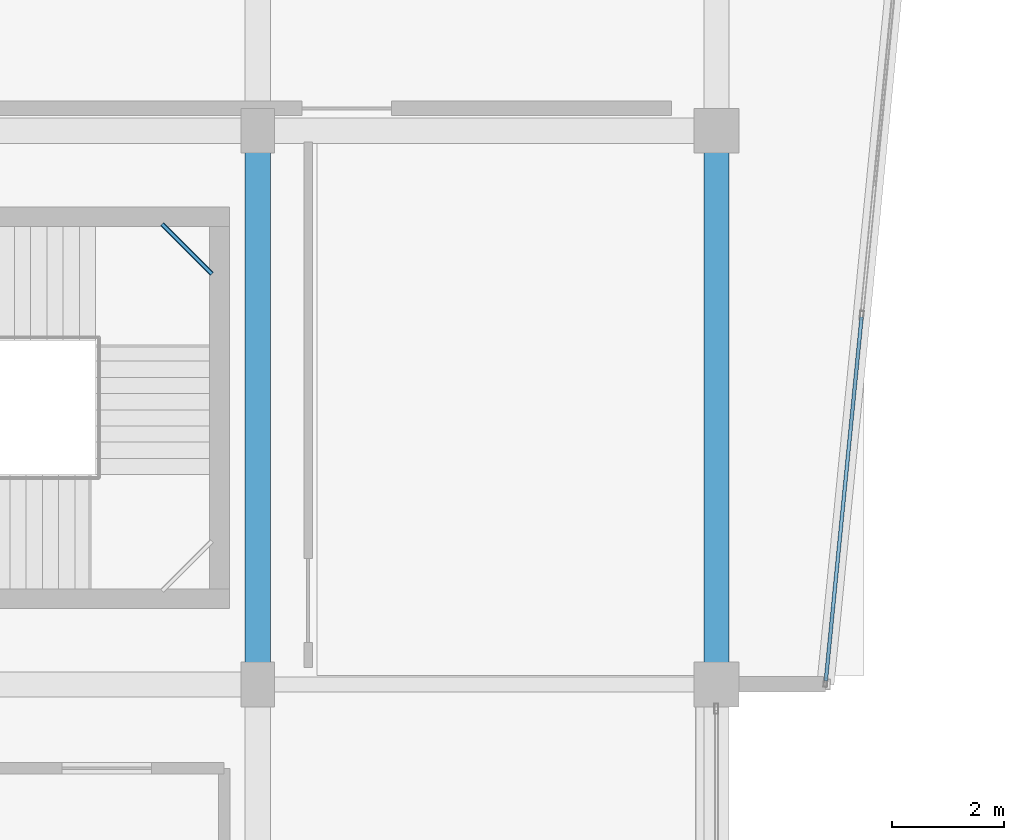
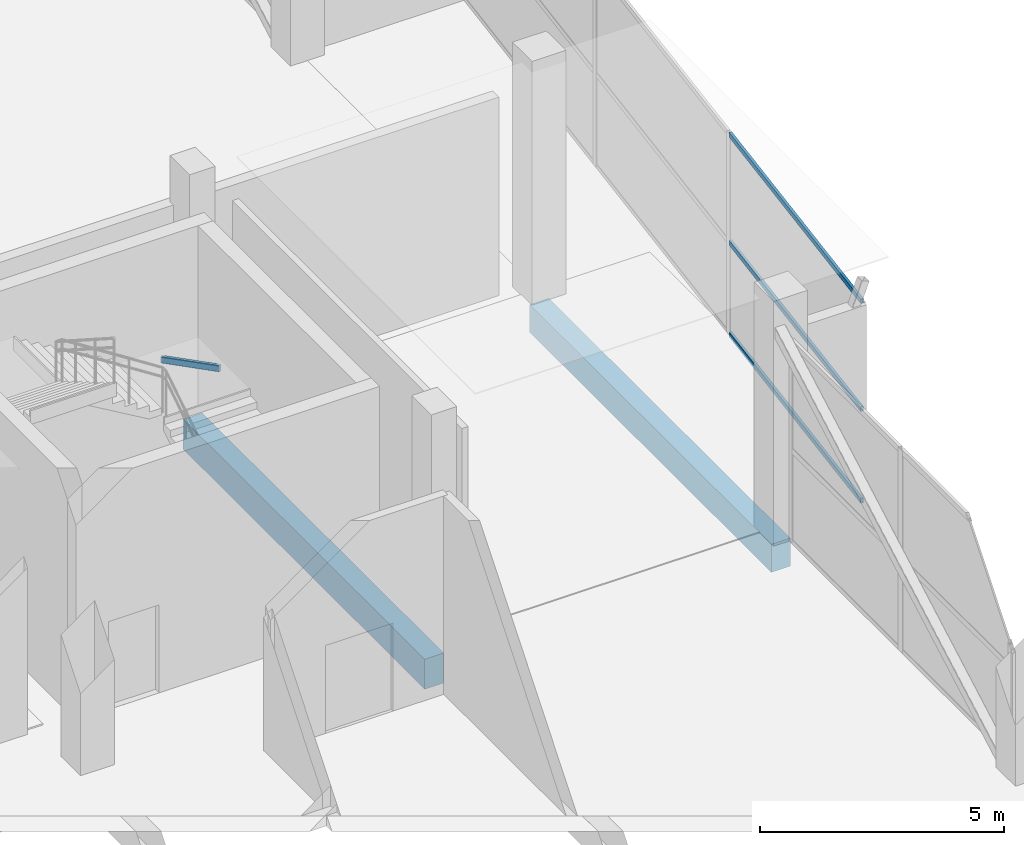
# One storey, part 20 of 58: 3 beams, 3 members, 1 element without a shape of its own.
"""IFC4 building model written with IfcOpenShell, lengths in metres."""

from ifc_helpers import new_model, si_unit, direction, frame, origin, origin_2d, place, context, subcontext, project, spatial, rectangle, hollow_rectangle, extrude, material, layer, layer_set, material_profile, profile_set, type_object, element, aggregate, save


model = new_model("IFC4")

# Units and contexts
model_context = context("Model", 3, precision=1e-05, world=origin(), true_north=direction((0.0, 1.0)))
body_context = subcontext(model_context, "Body", "Model", "MODEL_VIEW")
ifc_project = project(units=[si_unit("LENGTHUNIT", "METRE"), si_unit("AREAUNIT", "SQUARE_METRE"), si_unit("VOLUMEUNIT", "CUBIC_METRE"), si_unit("PLANEANGLEUNIT", "RADIAN"), si_unit("MASSUNIT", "GRAM", prefix="KILO")], contexts=[model_context])

# Site, building, storey
site_placement = place(None, origin())
site = spatial("IfcSite", under=ifc_project, at=site_placement, CompositionType="ELEMENT")
building_placement = place(site_placement, origin())
building = spatial("IfcBuilding", under=site, at=building_placement, Name="Sillaruma Civic Art Gallery", CompositionType="ELEMENT")
storey_placement = place(building_placement, frame((0.0, 0.0, 22.43994140625)))
storey = spatial("IfcBuildingStorey", under=building, at=storey_placement, Name="L04", CompositionType="ELEMENT", Elevation=22.43994140625)

# Beams
ifc_material_1 = material(Name="Concrete H40 (40 MPa)", Category="concrete")
ifc_material_profile_1 = material_profile(ifc_material_1, rectangle(XDim=0.449951171875, YDim=0.75, at=origin_2d()), Name="RCB450x750")
ifc_profile_set_1 = profile_set([ifc_material_profile_1], Name="Concrete H40 (40 MPa)")
beam_type_1 = type_object("IfcBeamType", Name="BM-BEAM-RCB450x750", PredefinedType="BEAM", material=ifc_profile_set_1)
beam_1_placement = place(storey_placement, frame((106.199951171875, 49.5, -0.635009765625), z_axis=(0.0, 1.0, 0.0), x_axis=(-1.0, 0.0, 0.0)))
element("IfcBeam", 1, at=beam_1_placement, inside=storey, type_object=beam_type_1, Name="Beam BM-03 (L03:M:6-7)", PredefinedType="BEAM", context=body_context, shape_type="SweptSolid", body=[
    extrude(rectangle(XDim=0.449951171875, YDim=0.75, at=origin_2d()), origin(), (0.0, 0.0, 1.0), 9.89990234375),
])
ifc_material_2 = material(Name="Structural Steel ASTM A500 Gr.C", Category="steel")
ifc_material_profile_2 = material_profile(ifc_material_2, hollow_rectangle(XDim=0.080078125, YDim=0.159912109375, WallThickness=0.008056640625, InnerFilletRadius=0.008056640625, OuterFilletRadius=0.01611328125, at=origin_2d()), Name="HSS160x80x8")
ifc_profile_set_2 = profile_set([ifc_material_profile_2], Name="Structural Steel ASTM A500 Gr.C")
beam_type_2 = type_object("IfcBeamType", Name="BM-LND-HSS160", PredefinedType="BEAM", material=ifc_profile_set_2)
beam_2_placement = place(storey_placement, frame((104.489990234375, 57.72998046875, 2.780029296875), z_axis=(0.707106781187, -0.707106781187, 0.0), x_axis=(0.707106781187, 0.707106781187, 0.0)))
element("IfcBeam", 2, at=beam_2_placement, inside=storey, type_object=beam_type_2, Name="Stair Corner Landing Trimmer Beam (ST-04-L04-2)", PredefinedType="BEAM", context=body_context, shape_type="SweptSolid", body=[
    extrude(hollow_rectangle(XDim=0.080078125, YDim=0.159912109375, WallThickness=0.008056640625, InnerFilletRadius=0.008056640625, OuterFilletRadius=0.01611328125, at=origin_2d()), origin(), (0.0, 0.0, 1.0), 1.258544921875),
])
ifc_material_3 = material(Name="Concrete H35 (35 MPa)", Category="concrete")
ifc_material_profile_3 = material_profile(ifc_material_3, rectangle(XDim=0.449951171875, YDim=0.699951171875, at=origin_2d()), Name="RCB450x700")
ifc_profile_set_3 = profile_set([ifc_material_profile_3], Name="Concrete H35 (35 MPa)")
beam_type_3 = type_object("IfcBeamType", Name="BM-SPANDREL-RCB450x700", PredefinedType="SPANDREL", material=ifc_profile_set_3)
beam_3_placement = place(storey_placement, frame((114.39990234375, 49.5, -0.60986328125), z_axis=(0.0, 1.0, 0.0), x_axis=(-1.0, 0.0, 0.0)))
element("IfcBeam", 3, at=beam_3_placement, inside=storey, type_object=beam_type_3, Name="Beam BS-03 (L03:N:6-7)", PredefinedType="SPANDREL", context=body_context, shape_type="SweptSolid", body=[
    extrude(rectangle(XDim=0.449951171875, YDim=0.699951171875, at=origin_2d()), origin(), (0.0, 0.0, 1.0), 9.89990234375),
])

# Curtain wall, members
ifc_material_4 = material(Name="Thermally Broken Extruded Aluminium 6063-T6", Category="aluminium")
ifc_layer = layer(ifc_material_4, 0.159912109375, Name="Thermally Broken Extruded Aluminium 6063-T6")
ifc_layer_set = layer_set([ifc_layer], Name="Thermally Broken Extruded Aluminium 6063-T6")
curtain_wall_type = type_object("IfcCurtainWallType", Name="CW-UNI-25", PredefinedType="NOTDEFINED", material=ifc_layer_set)
curtain_wall_placement = place(storey_placement, origin())
curtain_wall = element("IfcCurtainWall", 4, at=curtain_wall_placement, inside=storey, type_object=curtain_wall_type, Name="Unitised Curtain Wall CW-25 (CW-PRW-L04-E-ANG)", PredefinedType="NOTDEFINED")
ifc_material_profile_4 = material_profile(ifc_material_4, hollow_rectangle(XDim=0.06494140625, YDim=0.1201171875, WallThickness=0.00341796875, at=origin_2d()), Name="CWT65x120")
ifc_profile_set_4 = profile_set([ifc_material_profile_4], Name="Thermally Broken Extruded Aluminium 6063-T6")
member_type = type_object("IfcMemberType", Name="MEM-TRN-CWT65x120", PredefinedType="USERDEFINED", material=ifc_profile_set_4)
member_1_placement = place(storey_placement, frame((116.3564453125, 49.564697265625, 0.032470703125), z_axis=(0.098001709126, 0.995186246392, 0.0), x_axis=(-0.995186246392, 0.098001709126, 0.0)))
member_1 = element("IfcMember", 5, at=member_1_placement, type_object=member_type, Name="CW-25 transom 1.1", ObjectType="TRANSOM", PredefinedType="USERDEFINED", context=body_context, shape_type="SweptSolid", body=[
    extrude(hollow_rectangle(XDim=0.06494140625, YDim=0.1201171875, WallThickness=0.00341796875, at=origin_2d()), origin(), (0.0, 0.0, 1.0), 6.534423828125),
])
member_2_placement = place(storey_placement, frame((116.3564453125, 49.564697265625, 2.32763671875), z_axis=(0.098001709126, 0.995186246392, 0.0), x_axis=(-0.995186246392, 0.098001709126, 0.0)))
member_2 = element("IfcMember", 6, at=member_2_placement, type_object=member_type, Name="CW-25 transom 1.2", ObjectType="TRANSOM", PredefinedType="USERDEFINED", context=body_context, shape_type="SweptSolid", body=[
    extrude(hollow_rectangle(XDim=0.06494140625, YDim=0.1201171875, WallThickness=0.00341796875, at=origin_2d()), origin(), (0.0, 0.0, 1.0), 6.534423828125),
])
member_3_placement = place(storey_placement, frame((116.3564453125, 49.564697265625, 5.027587890625), z_axis=(0.098001709126, 0.995186246392, 0.0), x_axis=(-0.995186246392, 0.098001709126, 0.0)))
member_3 = element("IfcMember", 7, at=member_3_placement, type_object=member_type, Name="CW-25 transom 1.3", ObjectType="TRANSOM", PredefinedType="USERDEFINED", context=body_context, shape_type="SweptSolid", body=[
    extrude(hollow_rectangle(XDim=0.06494140625, YDim=0.1201171875, WallThickness=0.00341796875, at=origin_2d()), origin(), (0.0, 0.0, 1.0), 6.534423828125),
])
aggregate(curtain_wall, [member_1, member_2, member_3])

save(model, "model.ifc")
